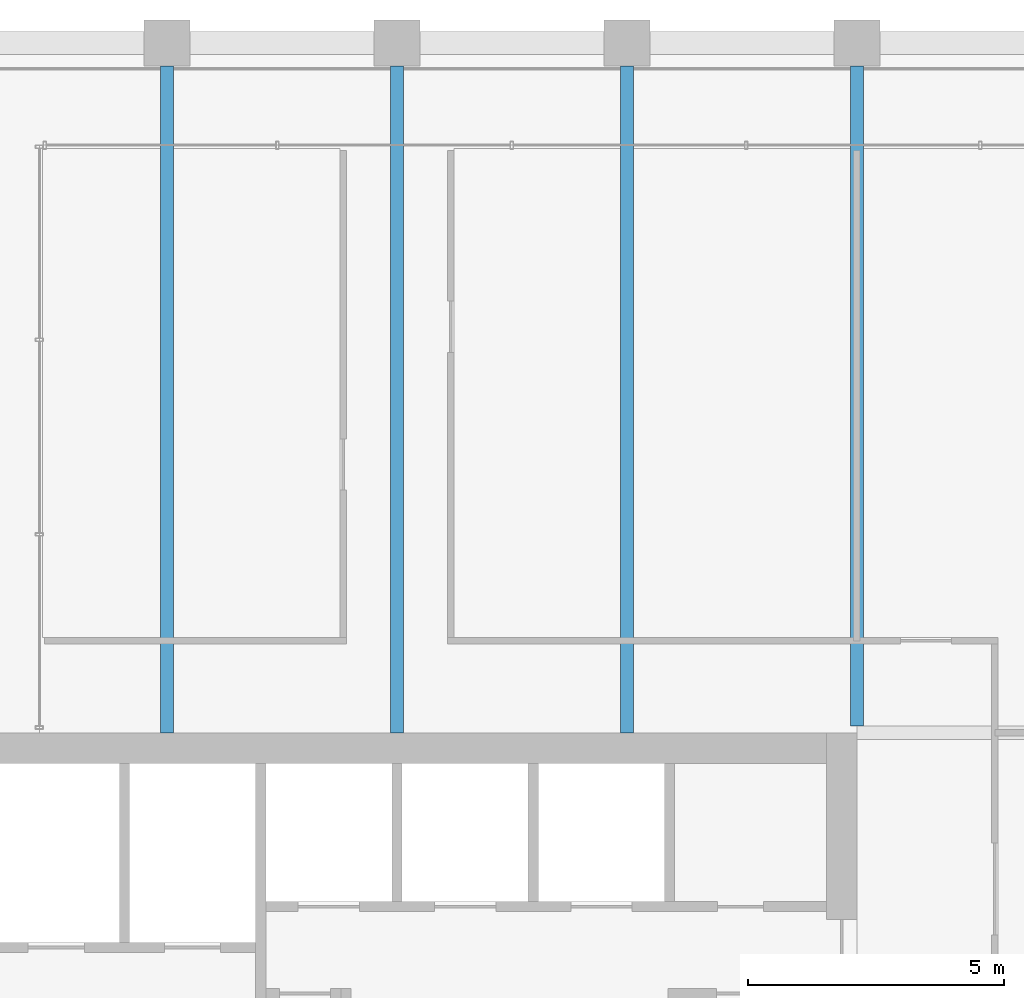
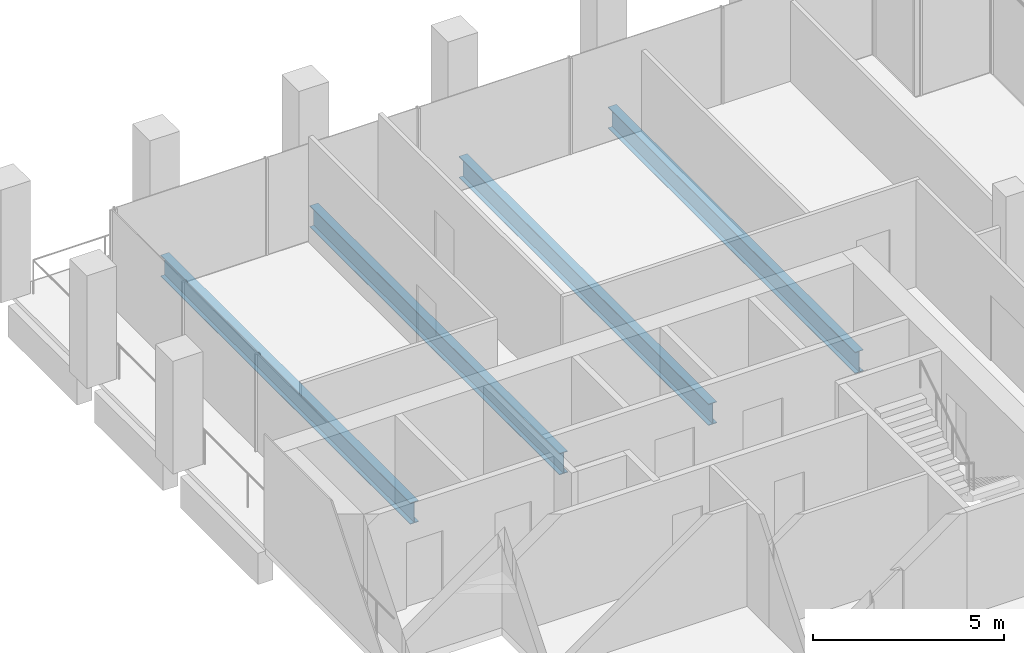
# One storey, part 22 of 40: 4 beams.
"""IFC4 building model written with IfcOpenShell, lengths in metres."""

from ifc_helpers import new_model, si_unit, direction, frame, origin, origin_2d, place, context, subcontext, project, spatial, i_section, extrude, material, material_profile, profile_set, type_object, element, save


model = new_model("IFC4")

# Units and contexts
model_context = context("Model", 3, precision=1e-05, world=origin(), true_north=direction((0.0, 1.0)))
body_context = subcontext(model_context, "Body", "Model", "MODEL_VIEW")
ifc_project = project(units=[si_unit("LENGTHUNIT", "METRE"), si_unit("AREAUNIT", "SQUARE_METRE"), si_unit("VOLUMEUNIT", "CUBIC_METRE"), si_unit("PLANEANGLEUNIT", "RADIAN"), si_unit("MASSUNIT", "GRAM", prefix="KILO")], contexts=[model_context])

# Site, building, storey
site_placement = place(None, origin())
site = spatial("IfcSite", under=ifc_project, at=site_placement, CompositionType="ELEMENT")
building_placement = place(site_placement, origin())
building = spatial("IfcBuilding", under=site, at=building_placement, Name="Altepetl Exchange Towers", CompositionType="ELEMENT")
storey_placement = place(building_placement, frame((0.0, 0.0, 187.0)))
storey = spatial("IfcBuildingStorey", under=building, at=storey_placement, Name="L47", CompositionType="ELEMENT", Elevation=187.0)

# Beams
ifc_material = material(Name="Steel S355", Category="steel")
ifc_material_profile = material_profile(ifc_material, i_section(OverallWidth=0.25390625, OverallDepth=0.68408203125, WebThickness=0.012451171875, FlangeThickness=0.018798828125, at=origin_2d()), Name="W27X94")
ifc_profile_set = profile_set([ifc_material_profile], Name="Steel S355")
beam_type = type_object("IfcBeamType", Name="Floor beam W27X94", PredefinedType="BEAM", material=ifc_profile_set)
for number, where, z_axis, x_axis, name in (
    (1, (45.0, 58.5, -0.491943359375), (0.0, 1.0, 0.0), (-1.0, 0.0, 0.0), "bm:A:L47:000"),
    (2, (49.5, 58.5, -0.491943359375), (0.0, 1.0, 0.0), (-1.0, 0.0, 0.0), "bm:A:L47:001"),
    (3, (54.0, 58.5, -0.491943359375), (0.0, 1.0, 0.0), (-1.0, 0.0, 0.0), "bm:A:L47:002"),
):
    element("IfcBeam", number, at=place(storey_placement, frame(where, z_axis=z_axis, x_axis=x_axis)), inside=storey, type_object=beam_type, Name=name, PredefinedType="BEAM", context=body_context, shape_type="SweptSolid", body=[
        extrude(i_section(OverallWidth=0.25390625, OverallDepth=0.68408203125, WebThickness=0.012451171875, FlangeThickness=0.018798828125, at=origin_2d()), origin(), (0.0, 0.0, 1.0), 13.050048828125),
    ])
beam_placement = place(storey_placement, frame((58.5, 58.634033203125, -0.491943359375), z_axis=(0.0, 1.0, 0.0), x_axis=(-1.0, 0.0, 0.0)))
element("IfcBeam", 4, at=beam_placement, inside=storey, type_object=beam_type, Name="bm:A:L47:003", PredefinedType="BEAM", context=body_context, shape_type="SweptSolid", body=[
    extrude(i_section(OverallWidth=0.25390625, OverallDepth=0.68408203125, WebThickness=0.012451171875, FlangeThickness=0.018798828125, at=origin_2d()), origin(), (0.0, 0.0, 1.0), 12.916015625),
])

save(model, "model.ifc")
